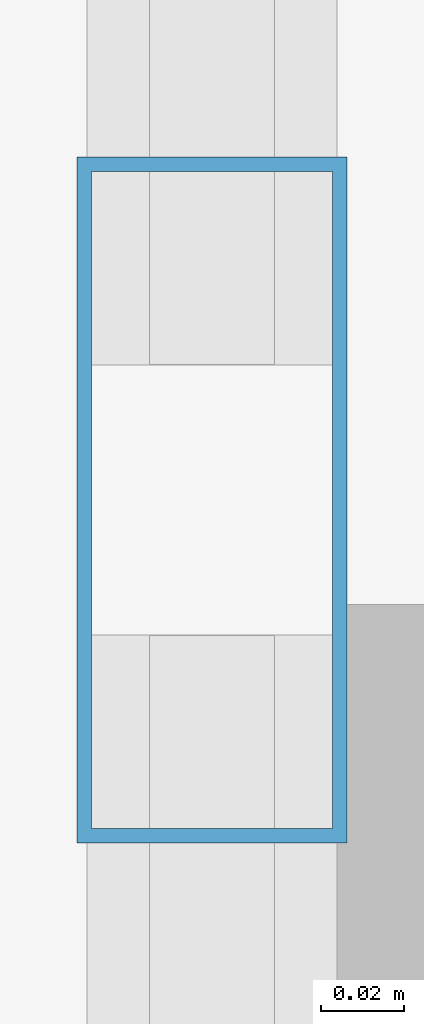
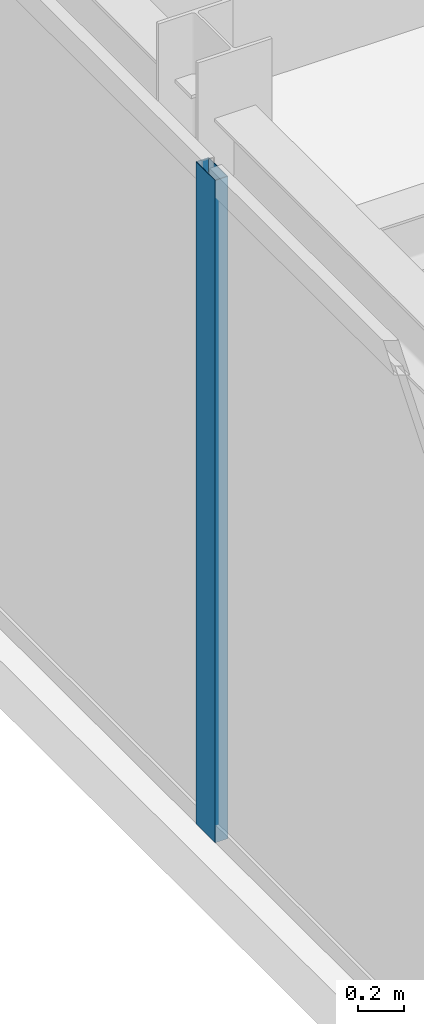
# One storey, part 10 of 28: 1 member, 1 element without a shape of its own.
"""IFC4 building model written with IfcOpenShell, lengths in metres."""

from ifc_helpers import new_model, si_unit, direction, frame, origin, origin_2d, place, context, subcontext, project, spatial, hollow_rectangle, extrude, source, transform, mapped, material, layer, layer_set, material_profile, profile_set, type_object, type_shapes, element, aggregate, save


model = new_model("IFC4")

# Units and contexts
model_context = context("Model", 3, precision=1e-05, world=origin(), true_north=direction((0.0, 1.0)))
body_context = subcontext(model_context, "Body", "Model", "MODEL_VIEW")
ifc_project = project(units=[si_unit("LENGTHUNIT", "METRE"), si_unit("AREAUNIT", "SQUARE_METRE"), si_unit("VOLUMEUNIT", "CUBIC_METRE"), si_unit("PLANEANGLEUNIT", "RADIAN"), si_unit("MASSUNIT", "GRAM", prefix="KILO")], contexts=[model_context])

# Site, building, storey
site_placement = place(None, origin())
site = spatial("IfcSite", under=ifc_project, at=site_placement, CompositionType="ELEMENT")
building_placement = place(site_placement, origin())
building = spatial("IfcBuilding", under=site, at=building_placement, Name="Varnel Quay Broadcast Tower", CompositionType="ELEMENT")
storey_placement = place(building_placement, frame((0.0, 0.0, 230.199951171875)))
storey = spatial("IfcBuildingStorey", under=building, at=storey_placement, Name="L57", CompositionType="ELEMENT", Elevation=230.199951171875)

# Curtain wall, member
ifc_material = material(Name="Anodised Bronze Aluminium 6063-T6", Category="aluminium")
ifc_layer = layer(ifc_material, 0.18994140625, Name="Anodised Bronze Aluminium 6063-T6")
ifc_layer_set = layer_set([ifc_layer], Name="Anodised Bronze Aluminium 6063-T6")
curtain_wall_type = type_object("IfcCurtainWallType", Name="CW_UpperTower", PredefinedType="NOTDEFINED", material=ifc_layer_set)
curtain_wall_placement = place(storey_placement, origin())
curtain_wall = element("IfcCurtainWall", 1, at=curtain_wall_placement, inside=storey, type_object=curtain_wall_type, Name="L57 West Unitised Curtain Wall", PredefinedType="NOTDEFINED")
ifc_material_profile = material_profile(ifc_material, hollow_rectangle(XDim=0.06494140625, YDim=0.1650390625, WallThickness=0.00341796875, at=origin_2d()), Name="ALU65X165X3.5")
ifc_profile_set = profile_set([ifc_material_profile], Name="Anodised Bronze Aluminium 6063-T6")
member_type = type_object("IfcMemberType", Name="Mull_CWS-03", PredefinedType="MULLION", material=ifc_profile_set)
shared_shape = source(origin(), body_context, "Body", "SweptSolid", [
    extrude(hollow_rectangle(XDim=0.06494140625, YDim=0.1650390625, WallThickness=0.00341796875, at=origin_2d()), origin(), (0.0, 0.0, 1.0), 3.47998046875),
])
type_shapes(member_type, [shared_shape])
member_placement = place(storey_placement, frame((9.64990234375, 28.5, 0.0), z_axis=(0.0, 0.0, 1.0), x_axis=(-1.0, 0.0, 0.0)))
member = element("IfcMember", 2, at=member_placement, type_object=member_type, Name="CWS-03 mullion 2", PredefinedType="MULLION", context=body_context, shape_type="MappedRepresentation", body=[
    mapped(shared_shape, transform((0.0, 0.0, 0.0), x_axis=(1.0, 0.0, 0.0), y_axis=(0.0, 1.0, 0.0), z_axis=(0.0, 0.0, 1.0), scale=1.0)),
])
aggregate(curtain_wall, [member])

save(model, "model.ifc")
